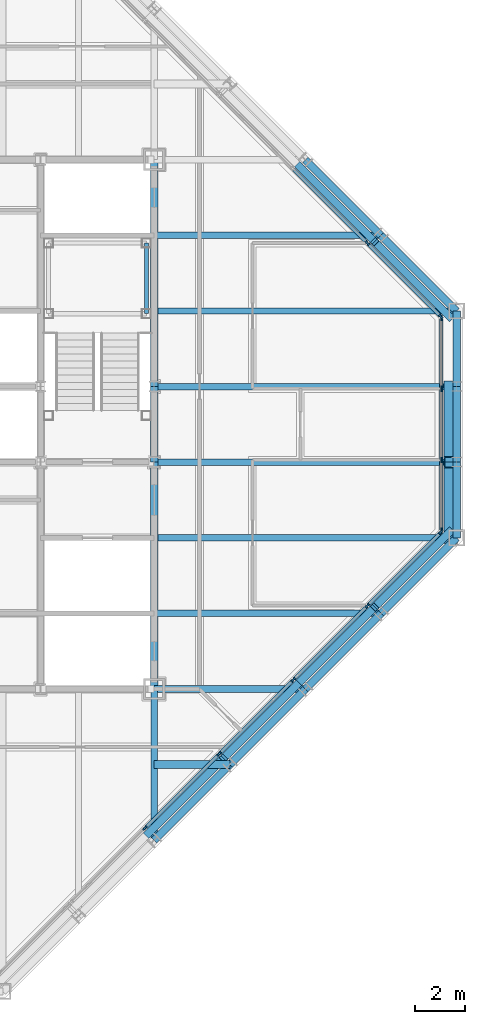
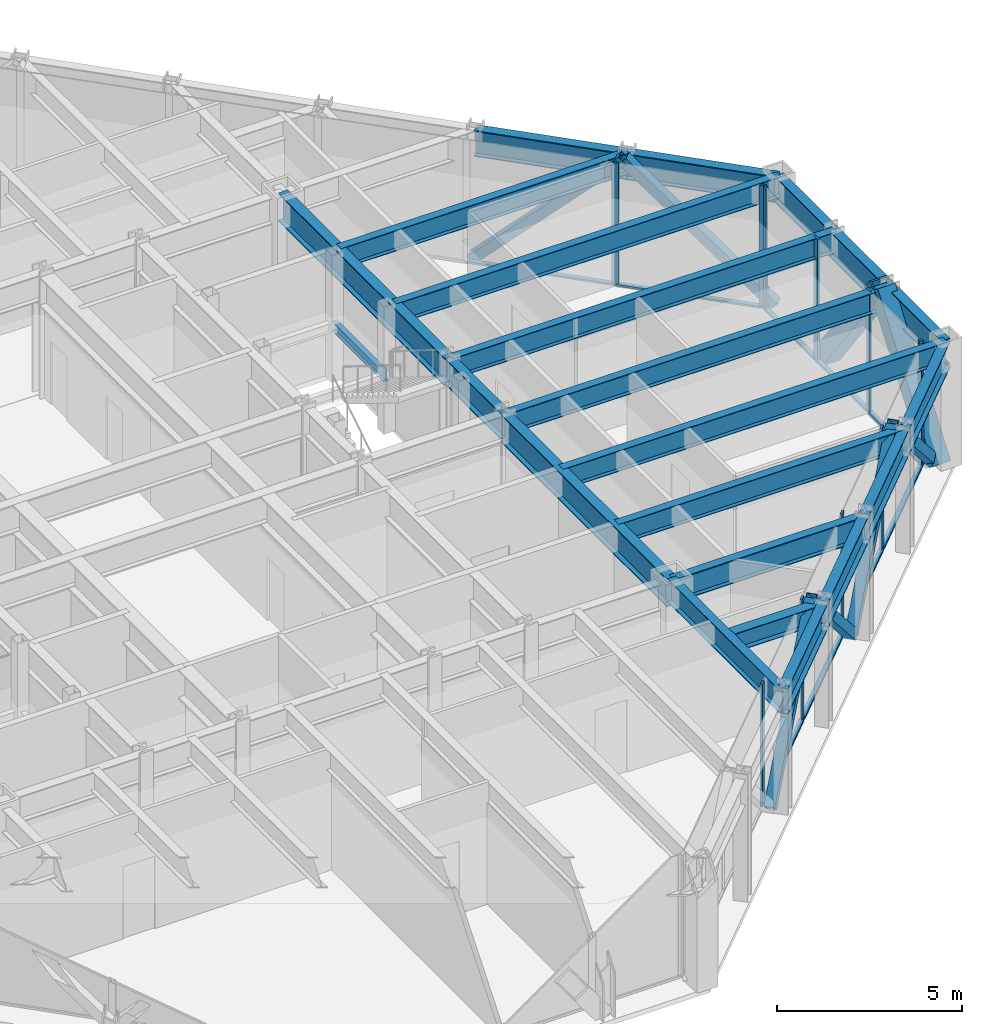
# One storey, part 7 of 15: 28 members, 22 beams, 3 elements without a shape of their own.
"""IFC4 building model written with IfcOpenShell, lengths in metres."""

from ifc_helpers import new_model, si_unit, direction, frame, origin, origin_2d, place, context, subcontext, project, spatial, rectangle, hollow_rectangle, i_section, extrude, material, layer, layer_set, material_profile, profile_set, type_object, element, aggregate, save


model = new_model("IFC4")

# Units and contexts
model_context = context("Model", 3, precision=1e-05, world=origin(), true_north=direction((0.0, 1.0)))
body_context = subcontext(model_context, "Body", "Model", "MODEL_VIEW")
ifc_project = project(units=[si_unit("LENGTHUNIT", "METRE"), si_unit("AREAUNIT", "SQUARE_METRE"), si_unit("VOLUMEUNIT", "CUBIC_METRE"), si_unit("PLANEANGLEUNIT", "RADIAN"), si_unit("MASSUNIT", "GRAM", prefix="KILO")], contexts=[model_context])

# Site, building, storey
site_placement = place(None, origin())
site = spatial("IfcSite", under=ifc_project, at=site_placement, CompositionType="ELEMENT")
building_placement = place(site_placement, origin())
building = spatial("IfcBuilding", under=site, at=building_placement, Name="Chuquiago Exchange Tower", CompositionType="ELEMENT")
storey_placement = place(building_placement, frame((0.0, 0.0, 283.199951171875)))
storey = spatial("IfcBuildingStorey", under=building, at=storey_placement, Name="L63", CompositionType="ELEMENT", Elevation=283.199951171875)

# Beams
ifc_material_1 = material(Name="Steel ASTM A992", Category="steel")
ifc_material_profile_1 = material_profile(ifc_material_1, i_section(OverallWidth=0.25390625, OverallDepth=0.683349609375, WebThickness=0.012451171875, FlangeThickness=0.018798828125, at=origin_2d()), Name="W27X94")
ifc_profile_set_1 = profile_set([ifc_material_profile_1], Name="Steel ASTM A992")
beam_type_1 = type_object("IfcBeamType", Name="B1 W27X94", PredefinedType="BEAM", material=ifc_profile_set_1)
beam_1_placement = place(storey_placement, frame((33.0, 15.0, 3.698486328125), z_axis=(1.0, 0.0, 0.0), x_axis=(0.0, 1.0, 0.0)))
element("IfcBeam", 1, at=beam_1_placement, inside=storey, type_object=beam_type_1, Name="FB-L64-infill-33_15-42_15-0", PredefinedType="BEAM", context=body_context, shape_type="SweptSolid", body=[
    extrude(i_section(OverallWidth=0.25390625, OverallDepth=0.683349609375, WebThickness=0.012451171875, FlangeThickness=0.018798828125, at=origin_2d()), origin(), (0.0, 0.0, 1.0), 9.0),
])
for number, where, z_axis, x_axis, name in (
    (2, (33.0, 18.0, 3.698486328125), (1.0, 0.0, 0.0), (0.0, 1.0, 0.0), "FB-L64-infill-33_18-45_18-0"),
    (3, (33.0, 21.0, 3.698486328125), (1.0, 0.0, 0.0), (0.0, 1.0, 0.0), "FB-L64-infill-33_21-45_21-0"),
    (4, (33.0, 24.0, 3.698486328125), (1.0, 0.0, 0.0), (0.0, 1.0, 0.0), "FB-L64-infill-33_24-45_24-0"),
    (5, (33.0, 27.0, 3.698486328125), (1.0, 0.0, 0.0), (0.0, 1.0, 0.0), "FB-L64-infill-33_27-45_27-0"),
):
    element("IfcBeam", number, at=place(storey_placement, frame(where, z_axis=z_axis, x_axis=x_axis)), inside=storey, type_object=beam_type_1, Name=name, PredefinedType="BEAM", context=body_context, shape_type="SweptSolid", body=[
        extrude(i_section(OverallWidth=0.25390625, OverallDepth=0.683349609375, WebThickness=0.012451171875, FlangeThickness=0.018798828125, at=origin_2d()), origin(), (0.0, 0.0, 1.0), 12.0),
    ])
beam_2_placement = place(storey_placement, frame((33.0, 30.0, 3.698486328125), z_axis=(1.0, 0.0, 0.0), x_axis=(0.0, 1.0, 0.0)))
element("IfcBeam", 6, at=beam_2_placement, inside=storey, type_object=beam_type_1, Name="FB-L64-infill-33_30-42_30-0", PredefinedType="BEAM", context=body_context, shape_type="SweptSolid", body=[
    extrude(i_section(OverallWidth=0.25390625, OverallDepth=0.683349609375, WebThickness=0.012451171875, FlangeThickness=0.018798828125, at=origin_2d()), origin(), (0.0, 0.0, 1.0), 9.0),
])
ifc_material_2 = material(Name="Steel ASTM A992", Category="steel")
ifc_material_profile_2 = material_profile(ifc_material_2, i_section(OverallWidth=0.307373046875, OverallDepth=0.927001953125, WebThickness=0.01953125, FlangeThickness=0.031982421875, at=origin_2d()), Name="W36X194")
ifc_profile_set_2 = profile_set([ifc_material_profile_2], Name="Steel ASTM A992")
beam_type_2 = type_object("IfcBeamType", Name="B10 W36X194", PredefinedType="BEAM", material=ifc_profile_set_2)
for number, where, z_axis, x_axis, name in (
    (7, (33.0, 12.0, 3.576416015625), (0.0, 1.0, 0.0), (-1.0, 0.0, 0.0), "CB-L64-33_12-33_21"),
    (8, (33.0, 24.0, 3.576416015625), (0.0, 1.0, 0.0), (-1.0, 0.0, 0.0), "CB-L64-33_24-33_33"),
):
    element("IfcBeam", number, at=place(storey_placement, frame(where, z_axis=z_axis, x_axis=x_axis)), inside=storey, type_object=beam_type_2, Name=name, PredefinedType="BEAM", context=body_context, shape_type="SweptSolid", body=[
        extrude(i_section(OverallWidth=0.307373046875, OverallDepth=0.927001953125, WebThickness=0.01953125, FlangeThickness=0.031982421875, at=origin_2d()), origin(), (0.0, 0.0, 1.0), 9.0),
    ])
ifc_material_3 = material(Name="Steel ASTM A992", Category="steel")
ifc_material_profile_3 = material_profile(ifc_material_3, i_section(OverallWidth=0.3251953125, OverallDepth=0.612060546875, WebThickness=0.0126953125, FlangeThickness=0.01904296875, at=origin_2d()), Name="W24X104")
ifc_profile_set_3 = profile_set([ifc_material_profile_3], Name="Steel ASTM A992")
beam_type_3 = type_object("IfcBeamType", Name="B2 W24X104", PredefinedType="BEAM", material=ifc_profile_set_3)
beam_3_placement = place(storey_placement, frame((33.0, 9.0, 3.73388671875), z_axis=(1.0, 0.0, 0.0), x_axis=(0.0, 1.0, 0.0)))
element("IfcBeam", 9, at=beam_3_placement, inside=storey, type_object=beam_type_3, Name="FB-L64-corner-33_9-36_9-0", PredefinedType="BEAM", context=body_context, shape_type="SweptSolid", body=[
    extrude(i_section(OverallWidth=0.3251953125, OverallDepth=0.612060546875, WebThickness=0.0126953125, FlangeThickness=0.01904296875, at=origin_2d()), origin(), (0.0, 0.0, 1.0), 3.0),
])
ifc_material_4 = material(Name="Steel ASTM A992", Category="steel")
ifc_material_profile_4 = material_profile(ifc_material_4, i_section(OverallWidth=0.2919921875, OverallDepth=0.8583984375, WebThickness=0.01708984375, FlangeThickness=0.031005859375, at=origin_2d()), Name="W33X169")
ifc_profile_set_4 = profile_set([ifc_material_profile_4], Name="Steel ASTM A992")
beam_type_4 = type_object("IfcBeamType", Name="B3 W33X169", PredefinedType="BEAM", material=ifc_profile_set_4)
beam_4_placement = place(storey_placement, frame((33.0, 21.0, 3.61083984375), z_axis=(0.0, 1.0, 0.0), x_axis=(-1.0, 0.0, 0.0)))
element("IfcBeam", 10, at=beam_4_placement, inside=storey, type_object=beam_type_4, Name="CB-L64-33_21-33_24", PredefinedType="BEAM", context=body_context, shape_type="SweptSolid", body=[
    extrude(i_section(OverallWidth=0.2919921875, OverallDepth=0.8583984375, WebThickness=0.01708984375, FlangeThickness=0.031005859375, at=origin_2d()), origin(), (0.0, 0.0, 1.0), 3.0),
])

# Curtain wall, members
ifc_material_5 = material(Name="Aluminium curtain wall system", Category="aluminium")
ifc_layer_1 = layer(ifc_material_5, 0.22509765625)
ifc_layer_set_1 = layer_set([ifc_layer_1], Name="CW2 office curtain wall")
curtain_wall_type_1 = type_object("IfcCurtainWallType", Name="CW2 office curtain wall", PredefinedType="NOTDEFINED", material=ifc_layer_set_1)
curtain_wall_1_placement = place(storey_placement, origin())
curtain_wall_1 = element("IfcCurtainWall", 11, at=curtain_wall_1_placement, inside=storey, type_object=curtain_wall_type_1, Name="CW2 curtain wall L63", PredefinedType="NOTDEFINED")
ifc_material_6 = material(Name="Aluminium mullion, pale anodised", Category="aluminium")
ifc_material_profile_5 = material_profile(ifc_material_6, rectangle(XDim=0.06494140625, YDim=0.22509765625, at=origin_2d()), Name="AL 65x225")
ifc_profile_set_5 = profile_set([ifc_material_profile_5], Name="Aluminium mullion, pale anodised")
member_type_1 = type_object("IfcMemberType", Name="CW2-M mullion 65x225", PredefinedType="MULLION", material=ifc_profile_set_5)
member_1_placement = place(storey_placement, frame((44.39990234375, 18.281005859375, 0.0), z_axis=(0.0, 0.0, 1.0), x_axis=(-1.0, 0.0, 0.0)))
member_1 = element("IfcMember", 12, at=member_1_placement, type_object=member_type_1, Name="CW2 mullion 1", PredefinedType="MULLION", context=body_context, shape_type="SweptSolid", body=[
    extrude(rectangle(XDim=0.06494140625, YDim=0.22509765625, at=origin_2d()), origin(), (0.0, 0.0, 1.0), 4.0400390625),
])
member_2_placement = place(storey_placement, frame((44.39990234375, 21.082763671875, 0.0), z_axis=(0.0, 0.0, 1.0), x_axis=(-1.0, 0.0, 0.0)))
member_2 = element("IfcMember", 13, at=member_2_placement, type_object=member_type_1, Name="CW2 mullion 2", PredefinedType="MULLION", context=body_context, shape_type="SweptSolid", body=[
    extrude(rectangle(XDim=0.06494140625, YDim=0.22509765625, at=origin_2d()), origin(), (0.0, 0.0, 1.0), 4.0400390625),
])
member_3_placement = place(storey_placement, frame((44.39990234375, 23.917236328125, 0.0), z_axis=(0.0, 0.0, 1.0), x_axis=(-1.0, 0.0, 0.0)))
member_3 = element("IfcMember", 14, at=member_3_placement, type_object=member_type_1, Name="CW2 mullion 3", PredefinedType="MULLION", context=body_context, shape_type="SweptSolid", body=[
    extrude(rectangle(XDim=0.06494140625, YDim=0.22509765625, at=origin_2d()), origin(), (0.0, 0.0, 1.0), 4.0400390625),
])
member_4_placement = place(storey_placement, frame((44.39990234375, 26.718994140625, 0.0), z_axis=(0.0, 0.0, 1.0), x_axis=(-1.0, 0.0, 0.0)))
member_4 = element("IfcMember", 15, at=member_4_placement, type_object=member_type_1, Name="CW2 mullion 4", PredefinedType="MULLION", context=body_context, shape_type="SweptSolid", body=[
    extrude(rectangle(XDim=0.06494140625, YDim=0.22509765625, at=origin_2d()), origin(), (0.0, 0.0, 1.0), 4.0400390625),
])
ifc_material_7 = material(Name="Aluminium transom, pale anodised", Category="aluminium")
ifc_material_profile_6 = material_profile(ifc_material_7, rectangle(XDim=0.139892578125, YDim=0.06494140625, at=origin_2d()), Name="AL 140x65")
ifc_profile_set_6 = profile_set([ifc_material_profile_6], Name="Aluminium transom, pale anodised")
member_type_2 = type_object("IfcMemberType", Name="CW2-T transom 65x140", PredefinedType="MULLION", material=ifc_profile_set_6)
member_5_placement = place(storey_placement, frame((44.39990234375, 18.3134765625, 0.032470703125), z_axis=(0.0, 1.0, 0.0), x_axis=(-1.0, 0.0, 0.0)))
member_5 = element("IfcMember", 16, at=member_5_placement, type_object=member_type_2, Name="CW2 transom 1.1", PredefinedType="MULLION", context=body_context, shape_type="SweptSolid", body=[
    extrude(rectangle(XDim=0.139892578125, YDim=0.06494140625, at=origin_2d()), origin(), (0.0, 0.0, 1.0), 2.73681640625),
])
member_6_placement = place(storey_placement, frame((44.39990234375, 21.115234375, 0.032470703125), z_axis=(0.0, 1.0, 0.0), x_axis=(-1.0, 0.0, 0.0)))
member_6 = element("IfcMember", 17, at=member_6_placement, type_object=member_type_2, Name="CW2 transom 2.1", PredefinedType="MULLION", context=body_context, shape_type="SweptSolid", body=[
    extrude(rectangle(XDim=0.139892578125, YDim=0.06494140625, at=origin_2d()), origin(), (0.0, 0.0, 1.0), 2.76953125),
])
member_7_placement = place(storey_placement, frame((44.39990234375, 23.94970703125, 0.032470703125), z_axis=(0.0, 1.0, 0.0), x_axis=(-1.0, 0.0, 0.0)))
member_7 = element("IfcMember", 18, at=member_7_placement, type_object=member_type_2, Name="CW2 transom 3.1", PredefinedType="MULLION", context=body_context, shape_type="SweptSolid", body=[
    extrude(rectangle(XDim=0.139892578125, YDim=0.06494140625, at=origin_2d()), origin(), (0.0, 0.0, 1.0), 2.73681640625),
])
aggregate(curtain_wall_1, [member_1, member_2, member_3, member_4, member_5, member_6, member_7])

ifc_material_8 = material(Name="Aluminium curtain wall system", Category="aluminium")
ifc_layer_2 = layer(ifc_material_8, 0.199951171875)
ifc_layer_set_2 = layer_set([ifc_layer_2], Name="CW3 facet curtain wall")
curtain_wall_type_2 = type_object("IfcCurtainWallType", Name="CW3 facet curtain wall", PredefinedType="NOTDEFINED", material=ifc_layer_set_2)
curtain_wall_2_placement = place(storey_placement, origin())
curtain_wall_2 = element("IfcCurtainWall", 19, at=curtain_wall_2_placement, inside=storey, type_object=curtain_wall_type_2, Name="CW3 curtain wall L63", PredefinedType="NOTDEFINED")
ifc_material_9 = material(Name="Aluminium mullion, pale anodised", Category="aluminium")
ifc_material_profile_7 = material_profile(ifc_material_9, rectangle(XDim=0.06494140625, YDim=0.199951171875, at=origin_2d()), Name="AL 65x200")
ifc_profile_set_7 = profile_set([ifc_material_profile_7], Name="Aluminium mullion, pale anodised")
member_type_3 = type_object("IfcMemberType", Name="CW3-M mullion 65x200", PredefinedType="MULLION", material=ifc_profile_set_7)
member_8_placement = place(storey_placement, frame((32.63427734375, 6.48291015625, 0.0), z_axis=(0.0, 0.0, 1.0), x_axis=(-0.707106781187, 0.707106781187, 0.0)))
member_8 = element("IfcMember", 20, at=member_8_placement, type_object=member_type_3, Name="CW3 mullion 3", PredefinedType="MULLION", context=body_context, shape_type="SweptSolid", body=[
    extrude(rectangle(XDim=0.06494140625, YDim=0.199951171875, at=origin_2d()), origin(), (0.0, 0.0, 1.0), 4.0400390625),
])
member_9_placement = place(storey_placement, frame((35.57568359375, 9.42431640625, 0.0), z_axis=(0.0, 0.0, 1.0), x_axis=(-0.707106781187, 0.707106781187, 0.0)))
member_9 = element("IfcMember", 21, at=member_9_placement, type_object=member_type_3, Name="CW3 mullion 4", PredefinedType="MULLION", context=body_context, shape_type="SweptSolid", body=[
    extrude(rectangle(XDim=0.06494140625, YDim=0.199951171875, at=origin_2d()), origin(), (0.0, 0.0, 1.0), 4.0400390625),
])
member_10_placement = place(storey_placement, frame((38.51708984375, 12.36572265625, 0.0), z_axis=(0.0, 0.0, 1.0), x_axis=(-0.707106781187, 0.707106781187, 0.0)))
member_10 = element("IfcMember", 22, at=member_10_placement, type_object=member_type_3, Name="CW3 mullion 5", PredefinedType="MULLION", context=body_context, shape_type="SweptSolid", body=[
    extrude(rectangle(XDim=0.06494140625, YDim=0.199951171875, at=origin_2d()), origin(), (0.0, 0.0, 1.0), 4.0400390625),
])
member_11_placement = place(storey_placement, frame((41.45849609375, 15.30712890625, 0.0), z_axis=(0.0, 0.0, 1.0), x_axis=(-0.707106781187, 0.707106781187, 0.0)))
member_11 = element("IfcMember", 23, at=member_11_placement, type_object=member_type_3, Name="CW3 mullion 6", PredefinedType="MULLION", context=body_context, shape_type="SweptSolid", body=[
    extrude(rectangle(XDim=0.06494140625, YDim=0.199951171875, at=origin_2d()), origin(), (0.0, 0.0, 1.0), 4.0400390625),
])
member_12_placement = place(storey_placement, frame((44.376953125, 18.2255859375, 0.0), z_axis=(0.0, 0.0, 1.0), x_axis=(-0.707106781187, 0.707106781187, 0.0)))
member_12 = element("IfcMember", 24, at=member_12_placement, type_object=member_type_3, Name="CW3 mullion 7", PredefinedType="MULLION", context=body_context, shape_type="SweptSolid", body=[
    extrude(rectangle(XDim=0.06494140625, YDim=0.199951171875, at=origin_2d()), origin(), (0.0, 0.0, 1.0), 4.0400390625),
])

curtain_wall_3_placement = place(storey_placement, origin())
curtain_wall_3 = element("IfcCurtainWall", 25, at=curtain_wall_3_placement, inside=storey, type_object=curtain_wall_type_2, Name="CW3 curtain wall L63", PredefinedType="NOTDEFINED")
member_13_placement = place(storey_placement, frame((44.376953125, 26.7744140625, 0.0), z_axis=(0.0, 0.0, 1.0), x_axis=(-0.707106781187, -0.707106781187, 0.0)))
member_13 = element("IfcMember", 26, at=member_13_placement, type_object=member_type_3, Name="CW3 mullion 1", PredefinedType="MULLION", context=body_context, shape_type="SweptSolid", body=[
    extrude(rectangle(XDim=0.06494140625, YDim=0.199951171875, at=origin_2d()), origin(), (0.0, 0.0, 1.0), 4.0400390625),
])
member_14_placement = place(storey_placement, frame((41.45849609375, 29.69287109375, 0.0), z_axis=(0.0, 0.0, 1.0), x_axis=(-0.707106781187, -0.707106781187, 0.0)))
member_14 = element("IfcMember", 27, at=member_14_placement, type_object=member_type_3, Name="CW3 mullion 2", PredefinedType="MULLION", context=body_context, shape_type="SweptSolid", body=[
    extrude(rectangle(XDim=0.06494140625, YDim=0.199951171875, at=origin_2d()), origin(), (0.0, 0.0, 1.0), 4.0400390625),
])

# Member
ifc_material_10 = material(Name="Aluminium transom, pale anodised", Category="aluminium")
ifc_material_profile_8 = material_profile(ifc_material_10, rectangle(XDim=0.139892578125, YDim=0.06494140625, at=origin_2d()), Name="AL 140x65")
ifc_profile_set_8 = profile_set([ifc_material_profile_8], Name="Aluminium transom, pale anodised")
member_type_4 = type_object("IfcMemberType", Name="CW3-T transom 65x140", PredefinedType="MULLION", material=ifc_profile_set_8)
member_15_placement = place(storey_placement, frame((32.6572265625, 6.505859375, 0.032470703125), z_axis=(0.707106781187, 0.707106781187, 0.0), x_axis=(-0.707106781187, 0.707106781187, 0.0)))
member_15 = element("IfcMember", 28, at=member_15_placement, type_object=member_type_4, Name="CW3 transom 3.1", PredefinedType="MULLION", context=body_context, shape_type="SweptSolid", body=[
    extrude(rectangle(XDim=0.139892578125, YDim=0.06494140625, at=origin_2d()), origin(), (0.0, 0.0, 1.0), 4.094970703125),
])

member_16_placement = place(storey_placement, frame((35.5986328125, 9.447265625, 0.032470703125), z_axis=(0.707106781187, 0.707106781187, 0.0), x_axis=(-0.707106781187, 0.707106781187, 0.0)))
member_16 = element("IfcMember", 29, at=member_16_placement, type_object=member_type_4, Name="CW3 transom 4.1", PredefinedType="MULLION", context=body_context, shape_type="SweptSolid", body=[
    extrude(rectangle(XDim=0.139892578125, YDim=0.06494140625, at=origin_2d()), origin(), (0.0, 0.0, 1.0), 4.094970703125),
])

member_17_placement = place(storey_placement, frame((38.5400390625, 12.388671875, 0.032470703125), z_axis=(0.707106781187, 0.707106781187, 0.0), x_axis=(-0.707106781187, 0.707106781187, 0.0)))
member_17 = element("IfcMember", 30, at=member_17_placement, type_object=member_type_4, Name="CW3 transom 5.1", PredefinedType="MULLION", context=body_context, shape_type="SweptSolid", body=[
    extrude(rectangle(XDim=0.139892578125, YDim=0.06494140625, at=origin_2d()), origin(), (0.0, 0.0, 1.0), 4.094970703125),
])

member_18_placement = place(storey_placement, frame((41.4814453125, 15.330078125, 0.032470703125), z_axis=(0.707106781187, 0.707106781187, 0.0), x_axis=(-0.707106781187, 0.707106781187, 0.0)))
member_18 = element("IfcMember", 31, at=member_18_placement, type_object=member_type_4, Name="CW3 transom 6.1", PredefinedType="MULLION", context=body_context, shape_type="SweptSolid", body=[
    extrude(rectangle(XDim=0.139892578125, YDim=0.06494140625, at=origin_2d()), origin(), (0.0, 0.0, 1.0), 4.0625),
])

aggregate(curtain_wall_2, [member_8, member_9, member_10, member_11, member_12, member_15, member_16, member_17, member_18])

member_19_placement = place(storey_placement, frame((44.35400390625, 26.79736328125, 0.032470703125), z_axis=(-0.707106781187, 0.707106781187, 0.0), x_axis=(-0.707106781187, -0.707106781187, 0.0)))
member_19 = element("IfcMember", 32, at=member_19_placement, type_object=member_type_4, Name="CW3 transom 1.1", PredefinedType="MULLION", context=body_context, shape_type="SweptSolid", body=[
    extrude(rectangle(XDim=0.139892578125, YDim=0.06494140625, at=origin_2d()), origin(), (0.0, 0.0, 1.0), 4.0625),
])

member_20_placement = place(storey_placement, frame((41.435546875, 29.7158203125, 0.032470703125), z_axis=(-0.707106781187, 0.707106781187, 0.0), x_axis=(-0.707106781187, -0.707106781187, 0.0)))
member_20 = element("IfcMember", 33, at=member_20_placement, type_object=member_type_4, Name="CW3 transom 2.1", PredefinedType="MULLION", context=body_context, shape_type="SweptSolid", body=[
    extrude(rectangle(XDim=0.139892578125, YDim=0.06494140625, at=origin_2d()), origin(), (0.0, 0.0, 1.0), 4.094970703125),
])

aggregate(curtain_wall_3, [member_13, member_14, member_19, member_20])

# Beams
ifc_material_11 = material(Name="Steel ASTM A992", Category="steel")
ifc_material_profile_9 = material_profile(ifc_material_11, i_section(OverallWidth=0.2666015625, OverallDepth=0.76953125, WebThickness=0.015625, FlangeThickness=0.025390625, at=origin_2d()), Name="W30X132")
ifc_profile_set_9 = profile_set([ifc_material_profile_9], Name="Steel ASTM A992")
beam_type_5 = type_object("IfcBeamType", Name="G1 W30X132", PredefinedType="BEAM", material=ifc_profile_set_9)
for number, where, z_axis, x_axis, name in (
    (34, (33.0, 12.0, 3.6552734375), (0.0, -1.0, 0.0), (1.0, 0.0, 0.0), "FB-L64-girder-33_12-33_6-0"),
    (35, (33.0, 12.0, 3.6552734375), (1.0, 0.0, 0.0), (0.0, 1.0, 0.0), "FB-L64-girder-33_12-39_12-0"),
):
    element("IfcBeam", number, at=place(storey_placement, frame(where, z_axis=z_axis, x_axis=x_axis)), inside=storey, type_object=beam_type_5, Name=name, PredefinedType="BEAM", context=body_context, shape_type="SweptSolid", body=[
        extrude(i_section(OverallWidth=0.2666015625, OverallDepth=0.76953125, WebThickness=0.015625, FlangeThickness=0.025390625, at=origin_2d()), origin(), (0.0, 0.0, 1.0), 6.0),
    ])

# Members
ifc_material_12 = material(Name="Steel ASTM A500 Grade C", Category="steel")
ifc_material_profile_10 = material_profile(ifc_material_12, hollow_rectangle(XDim=0.3046875, YDim=0.3046875, WallThickness=0.0146484375, at=origin_2d()), Name="HSS12X12X5/8")
ifc_profile_set_10 = profile_set([ifc_material_profile_10], Name="Steel ASTM A500 Grade C")
member_type_5 = type_object("IfcMemberType", Name="LB3 HSS12X12X5/8", PredefinedType="BRACE", material=ifc_profile_set_10)
for number, where, z_axis, x_axis, name in (
    (36, (32.750732421875, 6.249267578125, 0.0), (0.512077265487, 0.512077265487, 0.689604051861), (-0.707106781187, 0.707106781187, 0.0), "LB-L63-33_6-36_9"),
    (37, (38.750732421875, 12.249267578125, 0.0), (-0.512077265487, -0.512077265487, 0.689604051861), (0.707106781187, -0.707106781187, 0.0), "LB-L63-36_9-39_12"),
    (38, (38.750732421875, 12.249267578125, 0.0), (0.512077265487, 0.512077265487, 0.689604051861), (-0.707106781187, 0.707106781187, 0.0), "LB-L63-39_12-42_15"),
    (39, (44.750732421875, 18.249267578125, 0.0), (-0.512077265487, -0.512077265487, 0.689604051861), (0.707106781187, -0.707106781187, 0.0), "LB-L63-42_15-45_18"),
    (40, (44.750732421875, 26.750732421875, 0.0), (-0.512077265487, 0.512077265487, 0.689604051861), (-0.707106781187, -0.707106781187, 0.0), "LB-L63-45_27-42_30"),
    (41, (38.750732421875, 32.750732421875, 0.0), (0.512077265487, -0.512077265487, 0.689604051861), (0.707106781187, 0.707106781187, 0.0), "LB-L63-42_30-39_33"),
):
    element("IfcMember", number, at=place(storey_placement, frame(where, z_axis=z_axis, x_axis=x_axis)), inside=storey, type_object=member_type_5, Name=name, PredefinedType="BRACE", context=body_context, shape_type="SweptSolid", body=[
        extrude(hollow_rectangle(XDim=0.3046875, YDim=0.3046875, WallThickness=0.0146484375, at=origin_2d()), origin(), (0.0, 0.0, 1.0), 5.8583984375),
    ])

# Beam
ifc_material_13 = material(Name="Steel ASTM A992", Category="steel")
ifc_material_profile_11 = material_profile(ifc_material_13, i_section(OverallWidth=0.164794921875, OverallDepth=0.309814453125, WebThickness=0.005859375, FlangeThickness=0.009765625, at=origin_2d()), Name="W12X26")
ifc_profile_set_11 = profile_set([ifc_material_profile_11], Name="Steel ASTM A992")
beam_type_6 = type_object("IfcBeamType", Name="LS1 W12X26", PredefinedType="BEAM", material=ifc_profile_set_11)
beam_5_placement = place(storey_placement, frame((32.68994140625, 26.889892578125, 1.7451171875), z_axis=(0.0, 1.0, 0.0), x_axis=(-1.0, 0.0, 0.0)))
element("IfcBeam", 42, at=beam_5_placement, inside=storey, type_object=beam_type_6, Name="Stair ST2 L63 landing 1 stringer", PredefinedType="BEAM", context=body_context, shape_type="SweptSolid", body=[
    extrude(i_section(OverallWidth=0.164794921875, OverallDepth=0.309814453125, WebThickness=0.005859375, FlangeThickness=0.009765625, at=origin_2d()), origin(), (0.0, 0.0, 1.0), 2.800048828125),
])

# Members
ifc_material_14 = material(Name="Steel ASTM A572 Grade 50", Category="steel")
ifc_material_profile_12 = material_profile(ifc_material_14, hollow_rectangle(XDim=0.550048828125, YDim=0.550048828125, WallThickness=0.044921875, at=origin_2d()), Name="BOX550X550X45")
ifc_profile_set_12 = profile_set([ifc_material_profile_12], Name="Steel ASTM A572 Grade 50")
member_type_6 = type_object("IfcMemberType", Name="MB4 BOX550X550X45", PredefinedType="BRACE", material=ifc_profile_set_12)
for number, where, z_axis, x_axis, name in (
    (43, (44.77001953125, 18.0, 0.0), (0.0, 0.596173923302, 0.802855312728), (-1.0, 0.0, 0.0), "Mega diagonal L63 E face"),
    (44, (44.77001953125, 24.0, 0.0), (0.0, -0.596173923302, 0.802855312728), (1.0, 0.0, 0.0), "Mega diagonal L63 E face"),
):
    element("IfcMember", number, at=place(storey_placement, frame(where, z_axis=z_axis, x_axis=x_axis)), inside=storey, type_object=member_type_6, Name=name, PredefinedType="BRACE", context=body_context, shape_type="SweptSolid", body=[
        extrude(hollow_rectangle(XDim=0.550048828125, YDim=0.550048828125, WallThickness=0.044921875, at=origin_2d()), origin(), (0.0, 0.0, 1.0), 5.031982421875),
    ])

# Beams
ifc_material_15 = material(Name="Steel ASTM A992", Category="steel")
ifc_material_profile_13 = material_profile(ifc_material_15, i_section(OverallWidth=0.2919921875, OverallDepth=0.8583984375, WebThickness=0.01708984375, FlangeThickness=0.031005859375, at=origin_2d()), Name="W33X169")
ifc_profile_set_13 = profile_set([ifc_material_profile_13], Name="Steel ASTM A992")
beam_type_7 = type_object("IfcBeamType", Name="SP4 W33X169", PredefinedType="SPANDREL", material=ifc_profile_set_13)
for number, where, z_axis, x_axis, name in (
    (45, (33.0, 6.0, 3.61083984375), (0.707106781187, 0.707106781187, 0.0), (-0.707106781187, 0.707106781187, 0.0), "SPB-L64-33_6-36_9"),
    (46, (36.0, 9.0, 3.61083984375), (0.707106781187, 0.707106781187, 0.0), (-0.707106781187, 0.707106781187, 0.0), "SPB-L64-36_9-39_12"),
    (47, (39.0, 12.0, 3.61083984375), (0.707106781187, 0.707106781187, 0.0), (-0.707106781187, 0.707106781187, 0.0), "SPB-L64-39_12-42_15"),
    (48, (42.0, 15.0, 3.61083984375), (0.707106781187, 0.707106781187, 0.0), (-0.707106781187, 0.707106781187, 0.0), "SPB-L64-42_15-45_18"),
):
    element("IfcBeam", number, at=place(storey_placement, frame(where, z_axis=z_axis, x_axis=x_axis)), inside=storey, type_object=beam_type_7, Name=name, PredefinedType="SPANDREL", context=body_context, shape_type="SweptSolid", body=[
        extrude(i_section(OverallWidth=0.2919921875, OverallDepth=0.8583984375, WebThickness=0.01708984375, FlangeThickness=0.031005859375, at=origin_2d()), origin(), (0.0, 0.0, 1.0), 4.24267578125),
    ])
for number, where, z_axis, x_axis, name in (
    (49, (45.0, 18.0, 3.61083984375), (0.0, 1.0, 0.0), (-1.0, 0.0, 0.0), "SPB-L64-45_18-45_21"),
    (50, (45.0, 21.0, 3.61083984375), (0.0, 1.0, 0.0), (-1.0, 0.0, 0.0), "SPB-L64-45_21-45_24"),
    (51, (45.0, 24.0, 3.61083984375), (0.0, 1.0, 0.0), (-1.0, 0.0, 0.0), "SPB-L64-45_24-45_27"),
):
    element("IfcBeam", number, at=place(storey_placement, frame(where, z_axis=z_axis, x_axis=x_axis)), inside=storey, type_object=beam_type_7, Name=name, PredefinedType="SPANDREL", context=body_context, shape_type="SweptSolid", body=[
        extrude(i_section(OverallWidth=0.2919921875, OverallDepth=0.8583984375, WebThickness=0.01708984375, FlangeThickness=0.031005859375, at=origin_2d()), origin(), (0.0, 0.0, 1.0), 3.0),
    ])
for number, where, z_axis, x_axis, name in (
    (52, (45.0, 27.0, 3.61083984375), (-0.707106781187, 0.707106781187, 0.0), (-0.707106781187, -0.707106781187, 0.0), "SPB-L64-45_27-42_30"),
    (53, (42.0, 30.0, 3.61083984375), (-0.707106781187, 0.707106781187, 0.0), (-0.707106781187, -0.707106781187, 0.0), "SPB-L64-42_30-39_33"),
):
    element("IfcBeam", number, at=place(storey_placement, frame(where, z_axis=z_axis, x_axis=x_axis)), inside=storey, type_object=beam_type_7, Name=name, PredefinedType="SPANDREL", context=body_context, shape_type="SweptSolid", body=[
        extrude(i_section(OverallWidth=0.2919921875, OverallDepth=0.8583984375, WebThickness=0.01708984375, FlangeThickness=0.031005859375, at=origin_2d()), origin(), (0.0, 0.0, 1.0), 4.24267578125),
    ])

save(model, "model.ifc")
